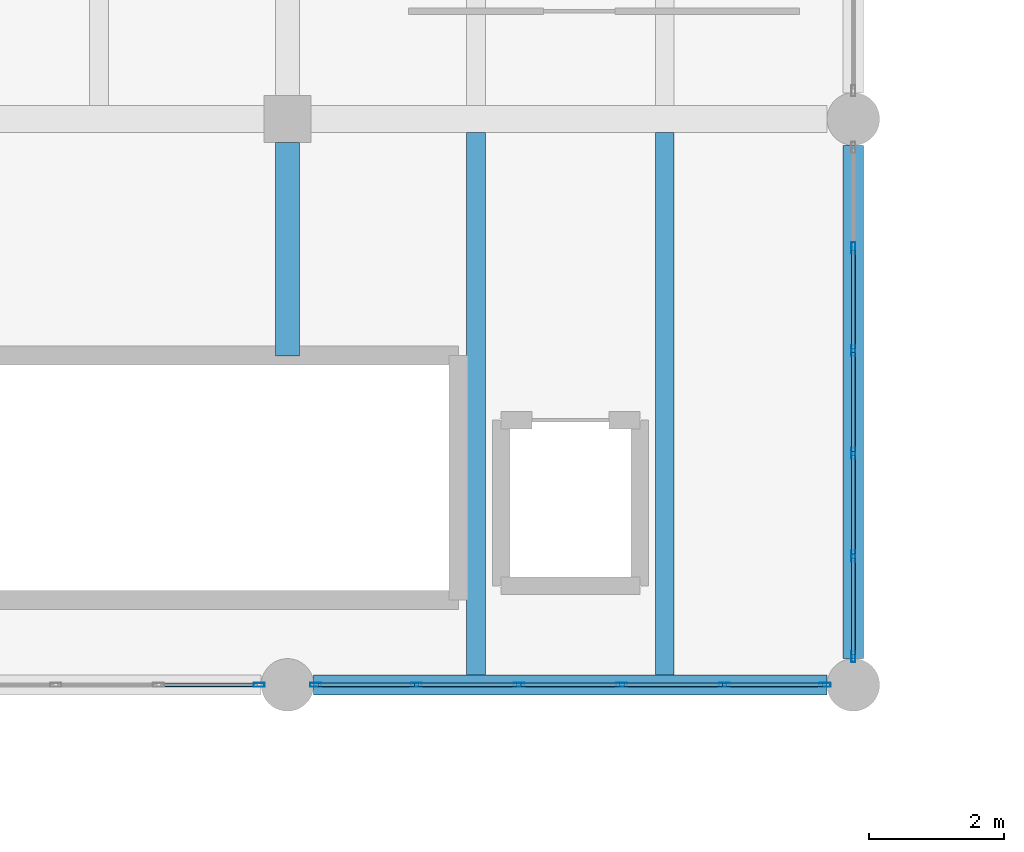
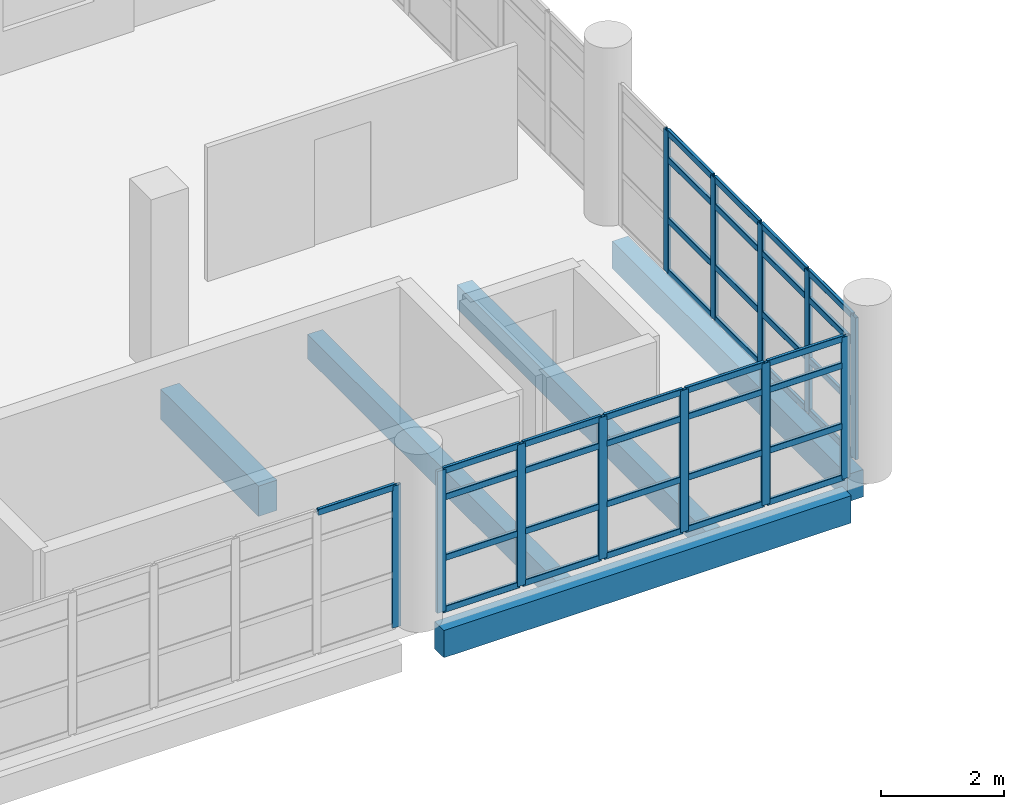
# One storey, part 54 of 95: 49 members, 5 beams, 3 elements without a shape of their own.
"""IFC4 building model written with IfcOpenShell, lengths in metres."""

from ifc_helpers import new_model, si_unit, direction, frame, origin, origin_2d, place, context, subcontext, project, spatial, rectangle, hollow_rectangle, extrude, material, layer, layer_set, material_profile, profile_set, type_object, element, aggregate, save


model = new_model("IFC4")

# Units and contexts
model_context = context("Model", 3, precision=1e-05, world=origin(), true_north=direction((0.0, 1.0)))
body_context = subcontext(model_context, "Body", "Model", "MODEL_VIEW")
ifc_project = project(units=[si_unit("LENGTHUNIT", "METRE"), si_unit("AREAUNIT", "SQUARE_METRE"), si_unit("VOLUMEUNIT", "CUBIC_METRE"), si_unit("PLANEANGLEUNIT", "RADIAN"), si_unit("MASSUNIT", "GRAM", prefix="KILO"), si_unit("THERMODYNAMICTEMPERATUREUNIT", "KELVIN"), si_unit("POWERUNIT", "WATT")], contexts=[model_context])

# Site, building, storey
site_placement = place(None, origin())
site = spatial("IfcSite", under=ifc_project, at=site_placement, CompositionType="ELEMENT")
building_placement = place(site_placement, origin())
building = spatial("IfcBuilding", under=site, at=building_placement, Name="Mavoryth Pier Ferry Terminal", CompositionType="ELEMENT")
storey_placement = place(building_placement, frame((0.0, 0.0, 9.60009765625)))
storey = spatial("IfcBuildingStorey", under=building, at=storey_placement, Name="L02", CompositionType="ELEMENT", Elevation=9.60009765625)

# Beams
ifc_material_1 = material(Name="Concrete C35/45", Category="concrete")
ifc_material_profile_1 = material_profile(ifc_material_1, rectangle(XDim=0.35009765625, YDim=0.60009765625, at=origin_2d()), Name="RC 350x600", Category="concrete")
ifc_profile_set_1 = profile_set([ifc_material_profile_1], Name="Concrete C35/45 - RC 350x600")
beam_type_1 = type_object("IfcBeamType", Name="Girder-RC-350x600", PredefinedType="BEAM", material=ifc_profile_set_1)
beam_1_placement = place(storey_placement, frame((84.0, 77.280029296875, -0.580078125), z_axis=(0.0, 1.0, 0.0), x_axis=(-1.0, 0.0, 0.0)))
element("IfcBeam", 1, at=beam_1_placement, inside=storey, type_object=beam_type_1, Name="Beam B02-BG08-0732", PredefinedType="BEAM", context=body_context, shape_type="SweptSolid", body=[
    extrude(rectangle(XDim=0.35009765625, YDim=0.60009765625, at=origin_2d()), origin(), (0.0, 0.0, 1.0), 3.169921875),
])
ifc_material_profile_2 = material_profile(ifc_material_1, rectangle(XDim=0.280029296875, YDim=0.47998046875, at=origin_2d()), Name="RC 280x480", Category="concrete")
ifc_profile_set_2 = profile_set([ifc_material_profile_2], Name="Concrete C35/45 - RC 280x480")
beam_type_2 = type_object("IfcBeamType", Name="Joist-RC-280x480", PredefinedType="JOIST", material=ifc_profile_set_2)
for number, where, z_axis, x_axis, name in (
    (2, (86.800048828125, 72.550048828125, -0.52001953125), (0.0, 1.0, 0.0), (-1.0, 0.0, 0.0), "Beam B02-BJ02-0744"),
    (3, (89.60009765625, 72.550048828125, -0.52001953125), (0.0, 1.0, 0.0), (-1.0, 0.0, 0.0), "Beam B02-BJ02-0745"),
):
    element("IfcBeam", number, at=place(storey_placement, frame(where, z_axis=z_axis, x_axis=x_axis)), inside=storey, type_object=beam_type_2, Name=name, PredefinedType="JOIST", context=body_context, shape_type="SweptSolid", body=[
        extrude(rectangle(XDim=0.280029296875, YDim=0.47998046875, at=origin_2d()), origin(), (0.0, 0.0, 1.0), 8.050048828125),
    ])

# Curtain wall, members
ifc_material_2 = material(Name="Anodised Aluminium and Solar-Control Low-E Glass", Category="aluminium")
ifc_layer = layer(ifc_material_2, 0.159912109375, Name="Anodised Aluminium and Solar-Control Low-E Glass", Category="aluminium")
ifc_layer_set = layer_set([ifc_layer], Name="Anodised Aluminium and Solar-Control Low-E Glass - CW-Arrivals-Mod1400")
curtain_wall_type = type_object("IfcCurtainWallType", Name="CW-Arrivals-Mod1400", PredefinedType="USERDEFINED", material=ifc_layer_set)
curtain_wall_1_placement = place(storey_placement, origin())
curtain_wall_1 = element("IfcCurtainWall", 4, at=curtain_wall_1_placement, inside=storey, type_object=curtain_wall_type, Name="Curtain Wall CW-0222-071", ObjectType="UNITISED CURTAIN WALL", PredefinedType="USERDEFINED")
ifc_material_3 = material(Name="Anodised Aluminium EN AW-6063", Category="aluminium")
ifc_material_profile_3 = material_profile(ifc_material_3, hollow_rectangle(XDim=0.06005859375, YDim=0.1650390625, WallThickness=0.00390625, InnerFilletRadius=0.00390625, OuterFilletRadius=0.008056640625, at=origin_2d()), Name="AL-MULL 165x60x4", Category="aluminium")
ifc_profile_set_3 = profile_set([ifc_material_profile_3], Name="Anodised Aluminium EN AW-6063 - AL-MULL 165x60x4")
member_type_1 = type_object("IfcMemberType", Name="Mullion-Alum-165x60", PredefinedType="MULLION", material=ifc_profile_set_3)
member_1_placement = place(storey_placement, frame((92.39990234375, 72.820068359375, 0.0), z_axis=(0.0, 0.0, 1.0), x_axis=(-1.0, 0.0, 0.0)))
member_1 = element("IfcMember", 5, at=member_1_placement, type_object=member_type_1, Name="CW04 mullion 1", PredefinedType="MULLION", context=body_context, shape_type="SweptSolid", body=[
    extrude(hollow_rectangle(XDim=0.06005859375, YDim=0.1650390625, WallThickness=0.00390625, InnerFilletRadius=0.00390625, OuterFilletRadius=0.008056640625, at=origin_2d()), origin(), (0.0, 0.0, 1.0), 2.804931640625),
])
member_2_placement = place(storey_placement, frame((92.39990234375, 74.31396484375, 0.0), z_axis=(0.0, 0.0, 1.0), x_axis=(-1.0, 0.0, 0.0)))
member_2 = element("IfcMember", 6, at=member_2_placement, type_object=member_type_1, Name="CW04 mullion 2", PredefinedType="MULLION", context=body_context, shape_type="SweptSolid", body=[
    extrude(hollow_rectangle(XDim=0.06005859375, YDim=0.1650390625, WallThickness=0.00390625, InnerFilletRadius=0.00390625, OuterFilletRadius=0.008056640625, at=origin_2d()), origin(), (0.0, 0.0, 1.0), 2.804931640625),
])
member_3_placement = place(storey_placement, frame((92.39990234375, 75.837890625, 0.0), z_axis=(0.0, 0.0, 1.0), x_axis=(-1.0, 0.0, 0.0)))
member_3 = element("IfcMember", 7, at=member_3_placement, type_object=member_type_1, Name="CW04 mullion 3", PredefinedType="MULLION", context=body_context, shape_type="SweptSolid", body=[
    extrude(hollow_rectangle(XDim=0.06005859375, YDim=0.1650390625, WallThickness=0.00390625, InnerFilletRadius=0.00390625, OuterFilletRadius=0.008056640625, at=origin_2d()), origin(), (0.0, 0.0, 1.0), 2.804931640625),
])
member_4_placement = place(storey_placement, frame((92.39990234375, 77.362060546875, 0.0), z_axis=(0.0, 0.0, 1.0), x_axis=(-1.0, 0.0, 0.0)))
member_4 = element("IfcMember", 8, at=member_4_placement, type_object=member_type_1, Name="CW04 mullion 4", PredefinedType="MULLION", context=body_context, shape_type="SweptSolid", body=[
    extrude(hollow_rectangle(XDim=0.06005859375, YDim=0.1650390625, WallThickness=0.00390625, InnerFilletRadius=0.00390625, OuterFilletRadius=0.008056640625, at=origin_2d()), origin(), (0.0, 0.0, 1.0), 2.804931640625),
])
member_5_placement = place(storey_placement, frame((92.39990234375, 78.885986328125, 0.0), z_axis=(0.0, 0.0, 1.0), x_axis=(-1.0, 0.0, 0.0)))
member_5 = element("IfcMember", 9, at=member_5_placement, type_object=member_type_1, Name="CW04 mullion 5", PredefinedType="MULLION", context=body_context, shape_type="SweptSolid", body=[
    extrude(hollow_rectangle(XDim=0.06005859375, YDim=0.1650390625, WallThickness=0.00390625, InnerFilletRadius=0.00390625, OuterFilletRadius=0.008056640625, at=origin_2d()), origin(), (0.0, 0.0, 1.0), 2.804931640625),
])

# Curtain wall, member
curtain_wall_2_placement = place(storey_placement, origin())
curtain_wall_2 = element("IfcCurtainWall", 10, at=curtain_wall_2_placement, inside=storey, type_object=curtain_wall_type, Name="Curtain Wall CW-0222-075", ObjectType="UNITISED CURTAIN WALL", PredefinedType="USERDEFINED")
member_6_placement = place(storey_placement, frame((83.580078125, 72.39990234375, 0.0), z_axis=(0.0, 0.0, 1.0), x_axis=(0.0, 1.0, 0.0)))
member_6 = element("IfcMember", 11, at=member_6_placement, type_object=member_type_1, Name="CW04 mullion 6", PredefinedType="MULLION", context=body_context, shape_type="SweptSolid", body=[
    extrude(hollow_rectangle(XDim=0.06005859375, YDim=0.1650390625, WallThickness=0.00390625, InnerFilletRadius=0.00390625, OuterFilletRadius=0.008056640625, at=origin_2d()), origin(), (0.0, 0.0, 1.0), 2.804931640625),
])

# Curtain wall, members
curtain_wall_3_placement = place(storey_placement, origin())
curtain_wall_3 = element("IfcCurtainWall", 12, at=curtain_wall_3_placement, inside=storey, type_object=curtain_wall_type, Name="Curtain Wall CW-0222-076", ObjectType="UNITISED CURTAIN WALL", PredefinedType="USERDEFINED")
member_7_placement = place(storey_placement, frame((84.419921875, 72.39990234375, 0.0), z_axis=(0.0, 0.0, 1.0), x_axis=(0.0, 1.0, 0.0)))
member_7 = element("IfcMember", 13, at=member_7_placement, type_object=member_type_1, Name="CW04 mullion 1", PredefinedType="MULLION", context=body_context, shape_type="SweptSolid", body=[
    extrude(hollow_rectangle(XDim=0.06005859375, YDim=0.1650390625, WallThickness=0.00390625, InnerFilletRadius=0.00390625, OuterFilletRadius=0.008056640625, at=origin_2d()), origin(), (0.0, 0.0, 1.0), 2.804931640625),
])
member_8_placement = place(storey_placement, frame((85.9140625, 72.39990234375, 0.0), z_axis=(0.0, 0.0, 1.0), x_axis=(0.0, 1.0, 0.0)))
member_8 = element("IfcMember", 14, at=member_8_placement, type_object=member_type_1, Name="CW04 mullion 2", PredefinedType="MULLION", context=body_context, shape_type="SweptSolid", body=[
    extrude(hollow_rectangle(XDim=0.06005859375, YDim=0.1650390625, WallThickness=0.00390625, InnerFilletRadius=0.00390625, OuterFilletRadius=0.008056640625, at=origin_2d()), origin(), (0.0, 0.0, 1.0), 2.804931640625),
])
member_9_placement = place(storey_placement, frame((87.43798828125, 72.39990234375, 0.0), z_axis=(0.0, 0.0, 1.0), x_axis=(0.0, 1.0, 0.0)))
member_9 = element("IfcMember", 15, at=member_9_placement, type_object=member_type_1, Name="CW04 mullion 3", PredefinedType="MULLION", context=body_context, shape_type="SweptSolid", body=[
    extrude(hollow_rectangle(XDim=0.06005859375, YDim=0.1650390625, WallThickness=0.00390625, InnerFilletRadius=0.00390625, OuterFilletRadius=0.008056640625, at=origin_2d()), origin(), (0.0, 0.0, 1.0), 2.804931640625),
])
member_10_placement = place(storey_placement, frame((88.9619140625, 72.39990234375, 0.0), z_axis=(0.0, 0.0, 1.0), x_axis=(0.0, 1.0, 0.0)))
member_10 = element("IfcMember", 16, at=member_10_placement, type_object=member_type_1, Name="CW04 mullion 4", PredefinedType="MULLION", context=body_context, shape_type="SweptSolid", body=[
    extrude(hollow_rectangle(XDim=0.06005859375, YDim=0.1650390625, WallThickness=0.00390625, InnerFilletRadius=0.00390625, OuterFilletRadius=0.008056640625, at=origin_2d()), origin(), (0.0, 0.0, 1.0), 2.804931640625),
])
member_11_placement = place(storey_placement, frame((90.486083984375, 72.39990234375, 0.0), z_axis=(0.0, 0.0, 1.0), x_axis=(0.0, 1.0, 0.0)))
member_11 = element("IfcMember", 17, at=member_11_placement, type_object=member_type_1, Name="CW04 mullion 5", PredefinedType="MULLION", context=body_context, shape_type="SweptSolid", body=[
    extrude(hollow_rectangle(XDim=0.06005859375, YDim=0.1650390625, WallThickness=0.00390625, InnerFilletRadius=0.00390625, OuterFilletRadius=0.008056640625, at=origin_2d()), origin(), (0.0, 0.0, 1.0), 2.804931640625),
])
member_12_placement = place(storey_placement, frame((91.97998046875, 72.39990234375, 0.0), z_axis=(0.0, 0.0, 1.0), x_axis=(0.0, 1.0, 0.0)))
member_12 = element("IfcMember", 18, at=member_12_placement, type_object=member_type_1, Name="CW04 mullion 6", PredefinedType="MULLION", context=body_context, shape_type="SweptSolid", body=[
    extrude(hollow_rectangle(XDim=0.06005859375, YDim=0.1650390625, WallThickness=0.00390625, InnerFilletRadius=0.00390625, OuterFilletRadius=0.008056640625, at=origin_2d()), origin(), (0.0, 0.0, 1.0), 2.804931640625),
])

# Beams
ifc_material_profile_4 = material_profile(ifc_material_1, rectangle(XDim=0.300048828125, YDim=0.5400390625, at=origin_2d()), Name="RC 300x540", Category="concrete")
ifc_profile_set_4 = profile_set([ifc_material_profile_4], Name="Concrete C35/45 - RC 300x540")
beam_type_3 = type_object("IfcBeamType", Name="Spandrel-RC-300x540", PredefinedType="SPANDREL", material=ifc_profile_set_4)
beam_2_placement = place(storey_placement, frame((84.389892578125, 72.39990234375, -0.550048828125), z_axis=(1.0, 0.0, 0.0), x_axis=(0.0, 1.0, 0.0)))
element("IfcBeam", 19, at=beam_2_placement, inside=storey, type_object=beam_type_3, Name="Beam B02-SP02-0719", PredefinedType="SPANDREL", context=body_context, shape_type="SweptSolid", body=[
    extrude(rectangle(XDim=0.300048828125, YDim=0.5400390625, at=origin_2d()), origin(), (0.0, 0.0, 1.0), 7.6201171875),
])
beam_3_placement = place(storey_placement, frame((92.39990234375, 72.7900390625, -0.550048828125), z_axis=(0.0, 1.0, 0.0), x_axis=(-1.0, 0.0, 0.0)))
element("IfcBeam", 20, at=beam_3_placement, inside=storey, type_object=beam_type_3, Name="Beam B02-SP02-0736", PredefinedType="SPANDREL", context=body_context, shape_type="SweptSolid", body=[
    extrude(rectangle(XDim=0.300048828125, YDim=0.5400390625, at=origin_2d()), origin(), (0.0, 0.0, 1.0), 7.619873046875),
])

# Member
ifc_material_profile_5 = material_profile(ifc_material_3, hollow_rectangle(XDim=0.06005859375, YDim=0.125, WallThickness=0.00390625, InnerFilletRadius=0.00390625, OuterFilletRadius=0.008056640625, at=origin_2d()), Name="AL-TRAN 125x60x4", Category="aluminium")
ifc_profile_set_5 = profile_set([ifc_material_profile_5], Name="Anodised Aluminium EN AW-6063 - AL-TRAN 125x60x4")
member_type_2 = type_object("IfcMemberType", Name="Transom-Alum-125x60", PredefinedType="USERDEFINED", material=ifc_profile_set_5)
member_13_placement = place(storey_placement, frame((92.39990234375, 72.85009765625, 0.02978515625), z_axis=(0.0, 1.0, 0.0), x_axis=(-1.0, 0.0, 0.0)))
member_13 = element("IfcMember", 21, at=member_13_placement, type_object=member_type_2, Name="CW04 transom 1.1", ObjectType="TRANSOM", PredefinedType="USERDEFINED", context=body_context, shape_type="SweptSolid", body=[
    extrude(hollow_rectangle(XDim=0.06005859375, YDim=0.125, WallThickness=0.00390625, InnerFilletRadius=0.00390625, OuterFilletRadius=0.008056640625, at=origin_2d()), origin(), (0.0, 0.0, 1.0), 1.433837890625),
])

member_14_placement = place(storey_placement, frame((92.39990234375, 72.85009765625, 1.0498046875), z_axis=(0.0, 1.0, 0.0), x_axis=(-1.0, 0.0, 0.0)))
member_14 = element("IfcMember", 22, at=member_14_placement, type_object=member_type_2, Name="CW04 transom 1.2", ObjectType="TRANSOM", PredefinedType="USERDEFINED", context=body_context, shape_type="SweptSolid", body=[
    extrude(hollow_rectangle(XDim=0.06005859375, YDim=0.125, WallThickness=0.00390625, InnerFilletRadius=0.00390625, OuterFilletRadius=0.008056640625, at=origin_2d()), origin(), (0.0, 0.0, 1.0), 1.433837890625),
])

member_15_placement = place(storey_placement, frame((92.39990234375, 72.85009765625, 2.25), z_axis=(0.0, 1.0, 0.0), x_axis=(-1.0, 0.0, 0.0)))
member_15 = element("IfcMember", 23, at=member_15_placement, type_object=member_type_2, Name="CW04 transom 1.3", ObjectType="TRANSOM", PredefinedType="USERDEFINED", context=body_context, shape_type="SweptSolid", body=[
    extrude(hollow_rectangle(XDim=0.06005859375, YDim=0.125, WallThickness=0.00390625, InnerFilletRadius=0.00390625, OuterFilletRadius=0.008056640625, at=origin_2d()), origin(), (0.0, 0.0, 1.0), 1.433837890625),
])

member_16_placement = place(storey_placement, frame((92.39990234375, 72.85009765625, 2.77490234375), z_axis=(0.0, 1.0, 0.0), x_axis=(-1.0, 0.0, 0.0)))
member_16 = element("IfcMember", 24, at=member_16_placement, type_object=member_type_2, Name="CW04 transom 1.4", ObjectType="TRANSOM", PredefinedType="USERDEFINED", context=body_context, shape_type="SweptSolid", body=[
    extrude(hollow_rectangle(XDim=0.06005859375, YDim=0.125, WallThickness=0.00390625, InnerFilletRadius=0.00390625, OuterFilletRadius=0.008056640625, at=origin_2d()), origin(), (0.0, 0.0, 1.0), 1.433837890625),
])

member_17_placement = place(storey_placement, frame((92.39990234375, 74.343994140625, 0.02978515625), z_axis=(0.0, 1.0, 0.0), x_axis=(-1.0, 0.0, 0.0)))
member_17 = element("IfcMember", 25, at=member_17_placement, type_object=member_type_2, Name="CW04 transom 2.1", ObjectType="TRANSOM", PredefinedType="USERDEFINED", context=body_context, shape_type="SweptSolid", body=[
    extrude(hollow_rectangle(XDim=0.06005859375, YDim=0.125, WallThickness=0.00390625, InnerFilletRadius=0.00390625, OuterFilletRadius=0.008056640625, at=origin_2d()), origin(), (0.0, 0.0, 1.0), 1.464111328125),
])

member_18_placement = place(storey_placement, frame((92.39990234375, 74.343994140625, 1.0498046875), z_axis=(0.0, 1.0, 0.0), x_axis=(-1.0, 0.0, 0.0)))
member_18 = element("IfcMember", 26, at=member_18_placement, type_object=member_type_2, Name="CW04 transom 2.2", ObjectType="TRANSOM", PredefinedType="USERDEFINED", context=body_context, shape_type="SweptSolid", body=[
    extrude(hollow_rectangle(XDim=0.06005859375, YDim=0.125, WallThickness=0.00390625, InnerFilletRadius=0.00390625, OuterFilletRadius=0.008056640625, at=origin_2d()), origin(), (0.0, 0.0, 1.0), 1.464111328125),
])

member_19_placement = place(storey_placement, frame((92.39990234375, 74.343994140625, 2.25), z_axis=(0.0, 1.0, 0.0), x_axis=(-1.0, 0.0, 0.0)))
member_19 = element("IfcMember", 27, at=member_19_placement, type_object=member_type_2, Name="CW04 transom 2.3", ObjectType="TRANSOM", PredefinedType="USERDEFINED", context=body_context, shape_type="SweptSolid", body=[
    extrude(hollow_rectangle(XDim=0.06005859375, YDim=0.125, WallThickness=0.00390625, InnerFilletRadius=0.00390625, OuterFilletRadius=0.008056640625, at=origin_2d()), origin(), (0.0, 0.0, 1.0), 1.464111328125),
])

member_20_placement = place(storey_placement, frame((92.39990234375, 74.343994140625, 2.77490234375), z_axis=(0.0, 1.0, 0.0), x_axis=(-1.0, 0.0, 0.0)))
member_20 = element("IfcMember", 28, at=member_20_placement, type_object=member_type_2, Name="CW04 transom 2.4", ObjectType="TRANSOM", PredefinedType="USERDEFINED", context=body_context, shape_type="SweptSolid", body=[
    extrude(hollow_rectangle(XDim=0.06005859375, YDim=0.125, WallThickness=0.00390625, InnerFilletRadius=0.00390625, OuterFilletRadius=0.008056640625, at=origin_2d()), origin(), (0.0, 0.0, 1.0), 1.464111328125),
])

member_21_placement = place(storey_placement, frame((92.39990234375, 75.867919921875, 0.02978515625), z_axis=(0.0, 1.0, 0.0), x_axis=(-1.0, 0.0, 0.0)))
member_21 = element("IfcMember", 29, at=member_21_placement, type_object=member_type_2, Name="CW04 transom 3.1", ObjectType="TRANSOM", PredefinedType="USERDEFINED", context=body_context, shape_type="SweptSolid", body=[
    extrude(hollow_rectangle(XDim=0.06005859375, YDim=0.125, WallThickness=0.00390625, InnerFilletRadius=0.00390625, OuterFilletRadius=0.008056640625, at=origin_2d()), origin(), (0.0, 0.0, 1.0), 1.464111328125),
])

member_22_placement = place(storey_placement, frame((92.39990234375, 75.867919921875, 1.0498046875), z_axis=(0.0, 1.0, 0.0), x_axis=(-1.0, 0.0, 0.0)))
member_22 = element("IfcMember", 30, at=member_22_placement, type_object=member_type_2, Name="CW04 transom 3.2", ObjectType="TRANSOM", PredefinedType="USERDEFINED", context=body_context, shape_type="SweptSolid", body=[
    extrude(hollow_rectangle(XDim=0.06005859375, YDim=0.125, WallThickness=0.00390625, InnerFilletRadius=0.00390625, OuterFilletRadius=0.008056640625, at=origin_2d()), origin(), (0.0, 0.0, 1.0), 1.464111328125),
])

member_23_placement = place(storey_placement, frame((92.39990234375, 75.867919921875, 2.25), z_axis=(0.0, 1.0, 0.0), x_axis=(-1.0, 0.0, 0.0)))
member_23 = element("IfcMember", 31, at=member_23_placement, type_object=member_type_2, Name="CW04 transom 3.3", ObjectType="TRANSOM", PredefinedType="USERDEFINED", context=body_context, shape_type="SweptSolid", body=[
    extrude(hollow_rectangle(XDim=0.06005859375, YDim=0.125, WallThickness=0.00390625, InnerFilletRadius=0.00390625, OuterFilletRadius=0.008056640625, at=origin_2d()), origin(), (0.0, 0.0, 1.0), 1.464111328125),
])

member_24_placement = place(storey_placement, frame((92.39990234375, 75.867919921875, 2.77490234375), z_axis=(0.0, 1.0, 0.0), x_axis=(-1.0, 0.0, 0.0)))
member_24 = element("IfcMember", 32, at=member_24_placement, type_object=member_type_2, Name="CW04 transom 3.4", ObjectType="TRANSOM", PredefinedType="USERDEFINED", context=body_context, shape_type="SweptSolid", body=[
    extrude(hollow_rectangle(XDim=0.06005859375, YDim=0.125, WallThickness=0.00390625, InnerFilletRadius=0.00390625, OuterFilletRadius=0.008056640625, at=origin_2d()), origin(), (0.0, 0.0, 1.0), 1.464111328125),
])

member_25_placement = place(storey_placement, frame((92.39990234375, 77.39208984375, 0.02978515625), z_axis=(0.0, 1.0, 0.0), x_axis=(-1.0, 0.0, 0.0)))
member_25 = element("IfcMember", 33, at=member_25_placement, type_object=member_type_2, Name="CW04 transom 4.1", ObjectType="TRANSOM", PredefinedType="USERDEFINED", context=body_context, shape_type="SweptSolid", body=[
    extrude(hollow_rectangle(XDim=0.06005859375, YDim=0.125, WallThickness=0.00390625, InnerFilletRadius=0.00390625, OuterFilletRadius=0.008056640625, at=origin_2d()), origin(), (0.0, 0.0, 1.0), 1.4638671875),
])

member_26_placement = place(storey_placement, frame((92.39990234375, 77.39208984375, 1.0498046875), z_axis=(0.0, 1.0, 0.0), x_axis=(-1.0, 0.0, 0.0)))
member_26 = element("IfcMember", 34, at=member_26_placement, type_object=member_type_2, Name="CW04 transom 4.2", ObjectType="TRANSOM", PredefinedType="USERDEFINED", context=body_context, shape_type="SweptSolid", body=[
    extrude(hollow_rectangle(XDim=0.06005859375, YDim=0.125, WallThickness=0.00390625, InnerFilletRadius=0.00390625, OuterFilletRadius=0.008056640625, at=origin_2d()), origin(), (0.0, 0.0, 1.0), 1.4638671875),
])

member_27_placement = place(storey_placement, frame((92.39990234375, 77.39208984375, 2.25), z_axis=(0.0, 1.0, 0.0), x_axis=(-1.0, 0.0, 0.0)))
member_27 = element("IfcMember", 35, at=member_27_placement, type_object=member_type_2, Name="CW04 transom 4.3", ObjectType="TRANSOM", PredefinedType="USERDEFINED", context=body_context, shape_type="SweptSolid", body=[
    extrude(hollow_rectangle(XDim=0.06005859375, YDim=0.125, WallThickness=0.00390625, InnerFilletRadius=0.00390625, OuterFilletRadius=0.008056640625, at=origin_2d()), origin(), (0.0, 0.0, 1.0), 1.4638671875),
])

member_28_placement = place(storey_placement, frame((92.39990234375, 77.39208984375, 2.77490234375), z_axis=(0.0, 1.0, 0.0), x_axis=(-1.0, 0.0, 0.0)))
member_28 = element("IfcMember", 36, at=member_28_placement, type_object=member_type_2, Name="CW04 transom 4.4", ObjectType="TRANSOM", PredefinedType="USERDEFINED", context=body_context, shape_type="SweptSolid", body=[
    extrude(hollow_rectangle(XDim=0.06005859375, YDim=0.125, WallThickness=0.00390625, InnerFilletRadius=0.00390625, OuterFilletRadius=0.008056640625, at=origin_2d()), origin(), (0.0, 0.0, 1.0), 1.4638671875),
])

aggregate(curtain_wall_1, [member_1, member_2, member_3, member_4, member_5, member_13, member_14, member_15, member_16, member_17, member_18, member_19, member_20, member_21, member_22, member_23, member_24, member_25, member_26, member_27, member_28])

member_29_placement = place(storey_placement, frame((82.115966796875, 72.39990234375, 2.77490234375), z_axis=(1.0, 0.0, 0.0), x_axis=(0.0, 1.0, 0.0)))
member_29 = element("IfcMember", 37, at=member_29_placement, type_object=member_type_2, Name="CW04 transom 5.4", ObjectType="TRANSOM", PredefinedType="USERDEFINED", context=body_context, shape_type="SweptSolid", body=[
    extrude(hollow_rectangle(XDim=0.06005859375, YDim=0.125, WallThickness=0.00390625, InnerFilletRadius=0.00390625, OuterFilletRadius=0.008056640625, at=origin_2d()), origin(), (0.0, 0.0, 1.0), 1.43408203125),
])

aggregate(curtain_wall_2, [member_6, member_29])

member_30_placement = place(storey_placement, frame((84.449951171875, 72.39990234375, 0.02978515625), z_axis=(1.0, 0.0, 0.0), x_axis=(0.0, 1.0, 0.0)))
member_30 = element("IfcMember", 38, at=member_30_placement, type_object=member_type_2, Name="CW04 transom 1.1", ObjectType="TRANSOM", PredefinedType="USERDEFINED", context=body_context, shape_type="SweptSolid", body=[
    extrude(hollow_rectangle(XDim=0.06005859375, YDim=0.125, WallThickness=0.00390625, InnerFilletRadius=0.00390625, OuterFilletRadius=0.008056640625, at=origin_2d()), origin(), (0.0, 0.0, 1.0), 1.43408203125),
])

member_31_placement = place(storey_placement, frame((84.449951171875, 72.39990234375, 1.0498046875), z_axis=(1.0, 0.0, 0.0), x_axis=(0.0, 1.0, 0.0)))
member_31 = element("IfcMember", 39, at=member_31_placement, type_object=member_type_2, Name="CW04 transom 1.2", ObjectType="TRANSOM", PredefinedType="USERDEFINED", context=body_context, shape_type="SweptSolid", body=[
    extrude(hollow_rectangle(XDim=0.06005859375, YDim=0.125, WallThickness=0.00390625, InnerFilletRadius=0.00390625, OuterFilletRadius=0.008056640625, at=origin_2d()), origin(), (0.0, 0.0, 1.0), 1.43408203125),
])

member_32_placement = place(storey_placement, frame((84.449951171875, 72.39990234375, 2.25), z_axis=(1.0, 0.0, 0.0), x_axis=(0.0, 1.0, 0.0)))
member_32 = element("IfcMember", 40, at=member_32_placement, type_object=member_type_2, Name="CW04 transom 1.3", ObjectType="TRANSOM", PredefinedType="USERDEFINED", context=body_context, shape_type="SweptSolid", body=[
    extrude(hollow_rectangle(XDim=0.06005859375, YDim=0.125, WallThickness=0.00390625, InnerFilletRadius=0.00390625, OuterFilletRadius=0.008056640625, at=origin_2d()), origin(), (0.0, 0.0, 1.0), 1.43408203125),
])

member_33_placement = place(storey_placement, frame((84.449951171875, 72.39990234375, 2.77490234375), z_axis=(1.0, 0.0, 0.0), x_axis=(0.0, 1.0, 0.0)))
member_33 = element("IfcMember", 41, at=member_33_placement, type_object=member_type_2, Name="CW04 transom 1.4", ObjectType="TRANSOM", PredefinedType="USERDEFINED", context=body_context, shape_type="SweptSolid", body=[
    extrude(hollow_rectangle(XDim=0.06005859375, YDim=0.125, WallThickness=0.00390625, InnerFilletRadius=0.00390625, OuterFilletRadius=0.008056640625, at=origin_2d()), origin(), (0.0, 0.0, 1.0), 1.43408203125),
])

member_34_placement = place(storey_placement, frame((85.944091796875, 72.39990234375, 0.02978515625), z_axis=(1.0, 0.0, 0.0), x_axis=(0.0, 1.0, 0.0)))
member_34 = element("IfcMember", 42, at=member_34_placement, type_object=member_type_2, Name="CW04 transom 2.1", ObjectType="TRANSOM", PredefinedType="USERDEFINED", context=body_context, shape_type="SweptSolid", body=[
    extrude(hollow_rectangle(XDim=0.06005859375, YDim=0.125, WallThickness=0.00390625, InnerFilletRadius=0.00390625, OuterFilletRadius=0.008056640625, at=origin_2d()), origin(), (0.0, 0.0, 1.0), 1.4638671875),
])

member_35_placement = place(storey_placement, frame((85.944091796875, 72.39990234375, 1.0498046875), z_axis=(1.0, 0.0, 0.0), x_axis=(0.0, 1.0, 0.0)))
member_35 = element("IfcMember", 43, at=member_35_placement, type_object=member_type_2, Name="CW04 transom 2.2", ObjectType="TRANSOM", PredefinedType="USERDEFINED", context=body_context, shape_type="SweptSolid", body=[
    extrude(hollow_rectangle(XDim=0.06005859375, YDim=0.125, WallThickness=0.00390625, InnerFilletRadius=0.00390625, OuterFilletRadius=0.008056640625, at=origin_2d()), origin(), (0.0, 0.0, 1.0), 1.4638671875),
])

member_36_placement = place(storey_placement, frame((85.944091796875, 72.39990234375, 2.25), z_axis=(1.0, 0.0, 0.0), x_axis=(0.0, 1.0, 0.0)))
member_36 = element("IfcMember", 44, at=member_36_placement, type_object=member_type_2, Name="CW04 transom 2.3", ObjectType="TRANSOM", PredefinedType="USERDEFINED", context=body_context, shape_type="SweptSolid", body=[
    extrude(hollow_rectangle(XDim=0.06005859375, YDim=0.125, WallThickness=0.00390625, InnerFilletRadius=0.00390625, OuterFilletRadius=0.008056640625, at=origin_2d()), origin(), (0.0, 0.0, 1.0), 1.4638671875),
])

member_37_placement = place(storey_placement, frame((85.944091796875, 72.39990234375, 2.77490234375), z_axis=(1.0, 0.0, 0.0), x_axis=(0.0, 1.0, 0.0)))
member_37 = element("IfcMember", 45, at=member_37_placement, type_object=member_type_2, Name="CW04 transom 2.4", ObjectType="TRANSOM", PredefinedType="USERDEFINED", context=body_context, shape_type="SweptSolid", body=[
    extrude(hollow_rectangle(XDim=0.06005859375, YDim=0.125, WallThickness=0.00390625, InnerFilletRadius=0.00390625, OuterFilletRadius=0.008056640625, at=origin_2d()), origin(), (0.0, 0.0, 1.0), 1.4638671875),
])

member_38_placement = place(storey_placement, frame((87.468017578125, 72.39990234375, 0.02978515625), z_axis=(1.0, 0.0, 0.0), x_axis=(0.0, 1.0, 0.0)))
member_38 = element("IfcMember", 46, at=member_38_placement, type_object=member_type_2, Name="CW04 transom 3.1", ObjectType="TRANSOM", PredefinedType="USERDEFINED", context=body_context, shape_type="SweptSolid", body=[
    extrude(hollow_rectangle(XDim=0.06005859375, YDim=0.125, WallThickness=0.00390625, InnerFilletRadius=0.00390625, OuterFilletRadius=0.008056640625, at=origin_2d()), origin(), (0.0, 0.0, 1.0), 1.4638671875),
])

member_39_placement = place(storey_placement, frame((87.468017578125, 72.39990234375, 1.0498046875), z_axis=(1.0, 0.0, 0.0), x_axis=(0.0, 1.0, 0.0)))
member_39 = element("IfcMember", 47, at=member_39_placement, type_object=member_type_2, Name="CW04 transom 3.2", ObjectType="TRANSOM", PredefinedType="USERDEFINED", context=body_context, shape_type="SweptSolid", body=[
    extrude(hollow_rectangle(XDim=0.06005859375, YDim=0.125, WallThickness=0.00390625, InnerFilletRadius=0.00390625, OuterFilletRadius=0.008056640625, at=origin_2d()), origin(), (0.0, 0.0, 1.0), 1.4638671875),
])

member_40_placement = place(storey_placement, frame((87.468017578125, 72.39990234375, 2.25), z_axis=(1.0, 0.0, 0.0), x_axis=(0.0, 1.0, 0.0)))
member_40 = element("IfcMember", 48, at=member_40_placement, type_object=member_type_2, Name="CW04 transom 3.3", ObjectType="TRANSOM", PredefinedType="USERDEFINED", context=body_context, shape_type="SweptSolid", body=[
    extrude(hollow_rectangle(XDim=0.06005859375, YDim=0.125, WallThickness=0.00390625, InnerFilletRadius=0.00390625, OuterFilletRadius=0.008056640625, at=origin_2d()), origin(), (0.0, 0.0, 1.0), 1.4638671875),
])

member_41_placement = place(storey_placement, frame((87.468017578125, 72.39990234375, 2.77490234375), z_axis=(1.0, 0.0, 0.0), x_axis=(0.0, 1.0, 0.0)))
member_41 = element("IfcMember", 49, at=member_41_placement, type_object=member_type_2, Name="CW04 transom 3.4", ObjectType="TRANSOM", PredefinedType="USERDEFINED", context=body_context, shape_type="SweptSolid", body=[
    extrude(hollow_rectangle(XDim=0.06005859375, YDim=0.125, WallThickness=0.00390625, InnerFilletRadius=0.00390625, OuterFilletRadius=0.008056640625, at=origin_2d()), origin(), (0.0, 0.0, 1.0), 1.4638671875),
])

member_42_placement = place(storey_placement, frame((88.991943359375, 72.39990234375, 0.02978515625), z_axis=(1.0, 0.0, 0.0), x_axis=(0.0, 1.0, 0.0)))
member_42 = element("IfcMember", 50, at=member_42_placement, type_object=member_type_2, Name="CW04 transom 4.1", ObjectType="TRANSOM", PredefinedType="USERDEFINED", context=body_context, shape_type="SweptSolid", body=[
    extrude(hollow_rectangle(XDim=0.06005859375, YDim=0.125, WallThickness=0.00390625, InnerFilletRadius=0.00390625, OuterFilletRadius=0.008056640625, at=origin_2d()), origin(), (0.0, 0.0, 1.0), 1.464111328125),
])

member_43_placement = place(storey_placement, frame((88.991943359375, 72.39990234375, 1.0498046875), z_axis=(1.0, 0.0, 0.0), x_axis=(0.0, 1.0, 0.0)))
member_43 = element("IfcMember", 51, at=member_43_placement, type_object=member_type_2, Name="CW04 transom 4.2", ObjectType="TRANSOM", PredefinedType="USERDEFINED", context=body_context, shape_type="SweptSolid", body=[
    extrude(hollow_rectangle(XDim=0.06005859375, YDim=0.125, WallThickness=0.00390625, InnerFilletRadius=0.00390625, OuterFilletRadius=0.008056640625, at=origin_2d()), origin(), (0.0, 0.0, 1.0), 1.464111328125),
])

member_44_placement = place(storey_placement, frame((88.991943359375, 72.39990234375, 2.25), z_axis=(1.0, 0.0, 0.0), x_axis=(0.0, 1.0, 0.0)))
member_44 = element("IfcMember", 52, at=member_44_placement, type_object=member_type_2, Name="CW04 transom 4.3", ObjectType="TRANSOM", PredefinedType="USERDEFINED", context=body_context, shape_type="SweptSolid", body=[
    extrude(hollow_rectangle(XDim=0.06005859375, YDim=0.125, WallThickness=0.00390625, InnerFilletRadius=0.00390625, OuterFilletRadius=0.008056640625, at=origin_2d()), origin(), (0.0, 0.0, 1.0), 1.464111328125),
])

member_45_placement = place(storey_placement, frame((88.991943359375, 72.39990234375, 2.77490234375), z_axis=(1.0, 0.0, 0.0), x_axis=(0.0, 1.0, 0.0)))
member_45 = element("IfcMember", 53, at=member_45_placement, type_object=member_type_2, Name="CW04 transom 4.4", ObjectType="TRANSOM", PredefinedType="USERDEFINED", context=body_context, shape_type="SweptSolid", body=[
    extrude(hollow_rectangle(XDim=0.06005859375, YDim=0.125, WallThickness=0.00390625, InnerFilletRadius=0.00390625, OuterFilletRadius=0.008056640625, at=origin_2d()), origin(), (0.0, 0.0, 1.0), 1.464111328125),
])

member_46_placement = place(storey_placement, frame((90.51611328125, 72.39990234375, 0.02978515625), z_axis=(1.0, 0.0, 0.0), x_axis=(0.0, 1.0, 0.0)))
member_46 = element("IfcMember", 54, at=member_46_placement, type_object=member_type_2, Name="CW04 transom 5.1", ObjectType="TRANSOM", PredefinedType="USERDEFINED", context=body_context, shape_type="SweptSolid", body=[
    extrude(hollow_rectangle(XDim=0.06005859375, YDim=0.125, WallThickness=0.00390625, InnerFilletRadius=0.00390625, OuterFilletRadius=0.008056640625, at=origin_2d()), origin(), (0.0, 0.0, 1.0), 1.433837890625),
])

member_47_placement = place(storey_placement, frame((90.51611328125, 72.39990234375, 1.0498046875), z_axis=(1.0, 0.0, 0.0), x_axis=(0.0, 1.0, 0.0)))
member_47 = element("IfcMember", 55, at=member_47_placement, type_object=member_type_2, Name="CW04 transom 5.2", ObjectType="TRANSOM", PredefinedType="USERDEFINED", context=body_context, shape_type="SweptSolid", body=[
    extrude(hollow_rectangle(XDim=0.06005859375, YDim=0.125, WallThickness=0.00390625, InnerFilletRadius=0.00390625, OuterFilletRadius=0.008056640625, at=origin_2d()), origin(), (0.0, 0.0, 1.0), 1.433837890625),
])

member_48_placement = place(storey_placement, frame((90.51611328125, 72.39990234375, 2.25), z_axis=(1.0, 0.0, 0.0), x_axis=(0.0, 1.0, 0.0)))
member_48 = element("IfcMember", 56, at=member_48_placement, type_object=member_type_2, Name="CW04 transom 5.3", ObjectType="TRANSOM", PredefinedType="USERDEFINED", context=body_context, shape_type="SweptSolid", body=[
    extrude(hollow_rectangle(XDim=0.06005859375, YDim=0.125, WallThickness=0.00390625, InnerFilletRadius=0.00390625, OuterFilletRadius=0.008056640625, at=origin_2d()), origin(), (0.0, 0.0, 1.0), 1.433837890625),
])

member_49_placement = place(storey_placement, frame((90.51611328125, 72.39990234375, 2.77490234375), z_axis=(1.0, 0.0, 0.0), x_axis=(0.0, 1.0, 0.0)))
member_49 = element("IfcMember", 57, at=member_49_placement, type_object=member_type_2, Name="CW04 transom 5.4", ObjectType="TRANSOM", PredefinedType="USERDEFINED", context=body_context, shape_type="SweptSolid", body=[
    extrude(hollow_rectangle(XDim=0.06005859375, YDim=0.125, WallThickness=0.00390625, InnerFilletRadius=0.00390625, OuterFilletRadius=0.008056640625, at=origin_2d()), origin(), (0.0, 0.0, 1.0), 1.433837890625),
])

aggregate(curtain_wall_3, [member_7, member_8, member_9, member_10, member_11, member_12, member_30, member_31, member_32, member_33, member_34, member_35, member_36, member_37, member_38, member_39, member_40, member_41, member_42, member_43, member_44, member_45, member_46, member_47, member_48, member_49])

save(model, "model.ifc")
